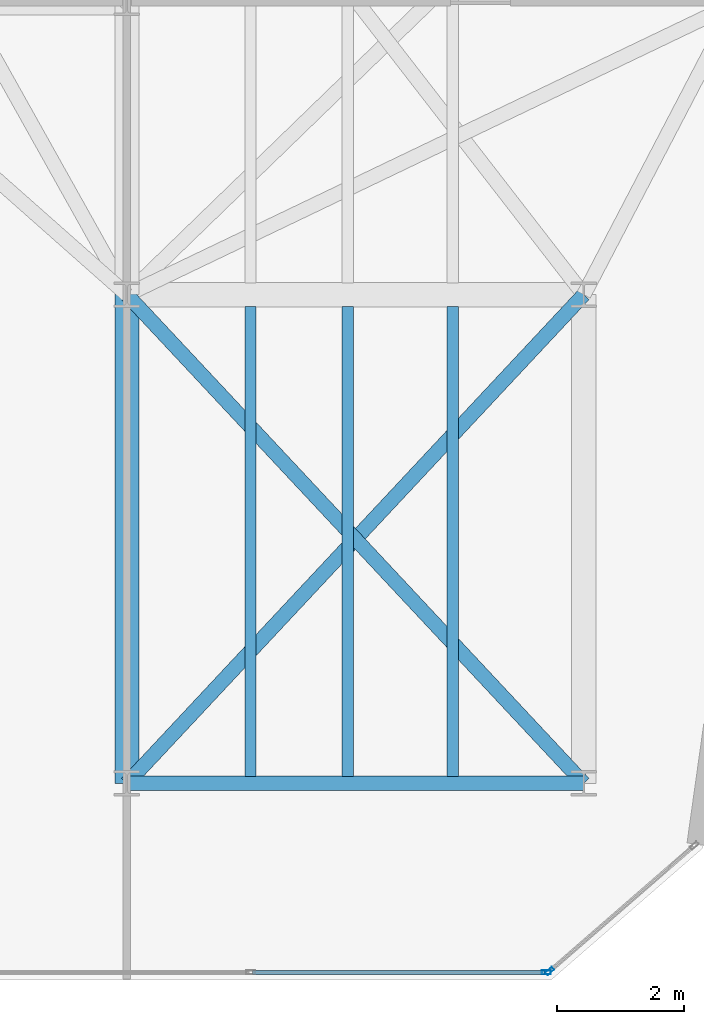
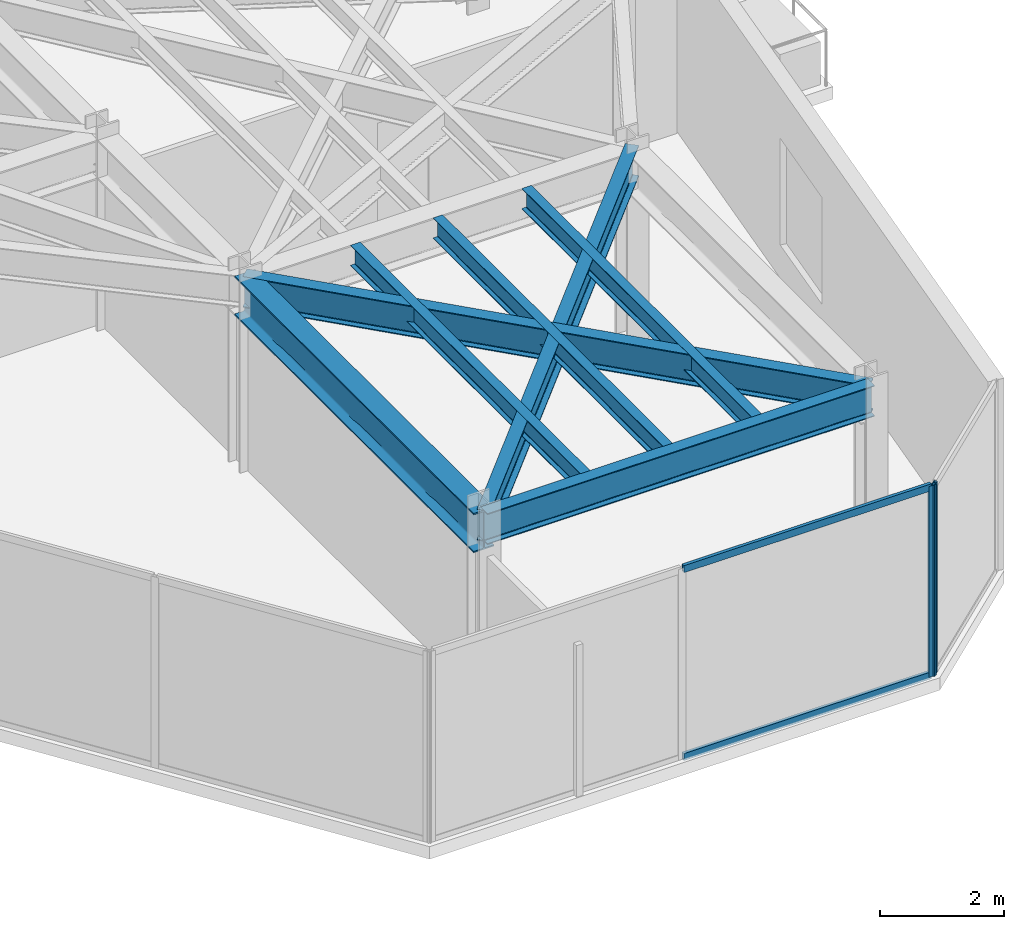
# One storey, part 11 of 21: 7 beams, 4 members, 2 elements without a shape of their own.
"""IFC4 building model written with IfcOpenShell, lengths in metres."""

from ifc_helpers import new_model, si_unit, direction, frame, origin, origin_2d, place, context, subcontext, project, spatial, hollow_rectangle, i_section, extrude, material, layer, layer_set, material_profile, profile_set, type_object, element, aggregate, save


model = new_model("IFC4")

# Units and contexts
model_context = context("Model", 3, precision=1e-05, world=origin(), true_north=direction((0.0, 1.0)))
body_context = subcontext(model_context, "Body", "Model", "MODEL_VIEW")
ifc_project = project(units=[si_unit("LENGTHUNIT", "METRE"), si_unit("AREAUNIT", "SQUARE_METRE"), si_unit("VOLUMEUNIT", "CUBIC_METRE"), si_unit("PLANEANGLEUNIT", "RADIAN"), si_unit("MASSUNIT", "GRAM", prefix="KILO")], contexts=[model_context])

# Site, building, storey
site_placement = place(None, origin())
site = spatial("IfcSite", under=ifc_project, at=site_placement, CompositionType="ELEMENT")
building_placement = place(site_placement, origin())
building = spatial("IfcBuilding", under=site, at=building_placement, Name="Kravanh Interchange Tower", CompositionType="ELEMENT")
storey_placement = place(building_placement, frame((0.0, 0.0, 208.5)))
storey = spatial("IfcBuildingStorey", under=building, at=storey_placement, Name="L50", CompositionType="ELEMENT", Elevation=208.5)

# Curtain wall, member
ifc_material_1 = material(Name="Anodised Bronze Aluminium", Category="aluminium")
ifc_layer = layer(ifc_material_1, 0.179931640625)
ifc_layer_set = layer_set([ifc_layer], Name="Unitised Curtain Wall System CW-Z3 Upper Office")
curtain_wall_type = type_object("IfcCurtainWallType", Name="Unitised Curtain Wall System CW-Z3 Upper Office", PredefinedType="NOTDEFINED", material=ifc_layer_set)
curtain_wall_1_placement = place(storey_placement, origin())
curtain_wall_1 = element("IfcCurtainWall", 1, at=curtain_wall_1_placement, inside=storey, type_object=curtain_wall_type, Name="L50 Unitised Curtain Wall CW-L50-01", PredefinedType="NOTDEFINED")
ifc_material_2 = material(Name="Anodised Bronze Aluminium", Category="aluminium")
ifc_material_profile_1 = material_profile(ifc_material_2, hollow_rectangle(XDim=0.06005859375, YDim=0.139892578125, WallThickness=0.00390625, at=origin_2d()), Name="ALU60X140X4")
ifc_profile_set_1 = profile_set([ifc_material_profile_1], Name="Anodised Bronze Aluminium")
member_type_1 = type_object("IfcMemberType", Name="Curtain Wall Mullion ALU60X140X4 Bronze", PredefinedType="MULLION", material=ifc_profile_set_1)
member_1_placement = place(storey_placement, frame((62.66357421875, 11.539794921875, 0.0), z_axis=(0.0, 0.0, 1.0), x_axis=(0.65605090137, -0.754716645379, 0.0)))
member_1 = element("IfcMember", 2, at=member_1_placement, type_object=member_type_1, Name="CW-Z3 mullion 2", PredefinedType="MULLION", context=body_context, shape_type="SweptSolid", body=[
    extrude(hollow_rectangle(XDim=0.06005859375, YDim=0.139892578125, WallThickness=0.00390625, at=origin_2d()), origin(), (0.0, 0.0, 1.0), 3.7548828125),
])
aggregate(curtain_wall_1, [member_1])

# Curtain wall, members
curtain_wall_2_placement = place(storey_placement, origin())
curtain_wall_2 = element("IfcCurtainWall", 3, at=curtain_wall_2_placement, inside=storey, type_object=curtain_wall_type, Name="L50 Unitised Curtain Wall CW-L50-02", PredefinedType="NOTDEFINED")
member_2_placement = place(storey_placement, frame((62.611083984375, 11.52001953125, 0.0), z_axis=(0.0, 0.0, 1.0), x_axis=(0.0, -1.0, 0.0)))
member_2 = element("IfcMember", 4, at=member_2_placement, type_object=member_type_1, Name="CW-Z3 mullion 1", PredefinedType="MULLION", context=body_context, shape_type="SweptSolid", body=[
    extrude(hollow_rectangle(XDim=0.06005859375, YDim=0.139892578125, WallThickness=0.00390625, at=origin_2d()), origin(), (0.0, 0.0, 1.0), 3.7548828125),
])
ifc_material_3 = material(Name="Anodised Bronze Aluminium", Category="aluminium")
ifc_material_profile_2 = material_profile(ifc_material_3, hollow_rectangle(XDim=0.06005859375, YDim=0.139892578125, WallThickness=0.00390625, at=origin_2d()), Name="ALU60X140X4")
ifc_profile_set_2 = profile_set([ifc_material_profile_2], Name="Anodised Bronze Aluminium")
member_type_2 = type_object("IfcMemberType", Name="Curtain Wall Transom ALU60X140X4 Bronze", PredefinedType="USERDEFINED", material=ifc_profile_set_2)
member_3_placement = place(storey_placement, frame((62.5810546875, 11.52001953125, 0.030029296875), z_axis=(-1.0, 0.0, 0.0), x_axis=(0.0, -1.0, 0.0)))
member_3 = element("IfcMember", 5, at=member_3_placement, type_object=member_type_2, Name="CW-Z3 transom 1.1", ObjectType="TRANSOM", PredefinedType="USERDEFINED", context=body_context, shape_type="SweptSolid", body=[
    extrude(hollow_rectangle(XDim=0.06005859375, YDim=0.139892578125, WallThickness=0.00390625, at=origin_2d()), origin(), (0.0, 0.0, 1.0), 4.59912109375),
])
member_4_placement = place(storey_placement, frame((62.5810546875, 11.52001953125, 3.72509765625), z_axis=(-1.0, 0.0, 0.0), x_axis=(0.0, -1.0, 0.0)))
member_4 = element("IfcMember", 6, at=member_4_placement, type_object=member_type_2, Name="CW-Z3 transom 1.2", ObjectType="TRANSOM", PredefinedType="USERDEFINED", context=body_context, shape_type="SweptSolid", body=[
    extrude(hollow_rectangle(XDim=0.06005859375, YDim=0.139892578125, WallThickness=0.00390625, at=origin_2d()), origin(), (0.0, 0.0, 1.0), 4.59912109375),
])
aggregate(curtain_wall_2, [member_2, member_3, member_4])

# Beams
ifc_material_4 = material(Name="Structural Steel S355", Category="steel")
ifc_material_profile_3 = material_profile(ifc_material_4, i_section(OverallWidth=0.381103515625, OverallDepth=0.77294921875, WebThickness=0.0166015625, FlangeThickness=0.027099609375, FilletRadius=0.02490234375, at=origin_2d()), Name="W30X173")
ifc_profile_set_3 = profile_set([ifc_material_profile_3], Name="Structural Steel S355")
beam_type_1 = type_object("IfcBeamType", Name="Floor Beam W30X173 Structural Steel S355", PredefinedType="BEAM", material=ifc_profile_set_3)
beam_1_placement = place(storey_placement, frame((56.0, 14.5, 3.368408203125), z_axis=(0.0, 1.0, 0.0), x_axis=(-1.0, 0.0, 0.0)))
element("IfcBeam", 7, at=beam_1_placement, inside=storey, type_object=beam_type_1, Name="L50 Primary Floor Girder 87", PredefinedType="BEAM", context=body_context, shape_type="SweptSolid", body=[
    extrude(i_section(OverallWidth=0.381103515625, OverallDepth=0.77294921875, WebThickness=0.0166015625, FlangeThickness=0.027099609375, FilletRadius=0.02490234375, at=origin_2d()), origin(), (0.0, 0.0, 1.0), 7.699951171875),
])
ifc_material_5 = material(Name="Structural Steel S355", Category="steel")
ifc_material_profile_4 = material_profile(ifc_material_5, i_section(OverallWidth=0.177978515625, OverallDepth=0.406005859375, WebThickness=0.0078125, FlangeThickness=0.0126953125, FilletRadius=0.01611328125, at=origin_2d()), Name="W16X40")
ifc_profile_set_4 = profile_set([ifc_material_profile_4], Name="Structural Steel S355")
beam_type_2 = type_object("IfcBeamType", Name="Floor Joist W16X40 Structural Steel S355", PredefinedType="JOIST", material=ifc_profile_set_4)
for number, where, z_axis, x_axis, name in (
    (8, (57.947998046875, 14.60888671875, 3.552001953125), (0.0, 1.0, 0.0), (-1.0, 0.0, 0.0), "L50 Secondary Floor Joist 4"),
    (9, (59.48193359375, 14.60888671875, 3.552001953125), (0.0, 1.0, 0.0), (-1.0, 0.0, 0.0), "L50 Secondary Floor Joist 5"),
    (10, (61.134033203125, 14.60888671875, 3.552001953125), (0.0, 1.0, 0.0), (-1.0, 0.0, 0.0), "L50 Secondary Floor Joist 6"),
):
    element("IfcBeam", number, at=place(storey_placement, frame(where, z_axis=z_axis, x_axis=x_axis)), inside=storey, type_object=beam_type_2, Name=name, PredefinedType="JOIST", context=body_context, shape_type="SweptSolid", body=[
        extrude(i_section(OverallWidth=0.177978515625, OverallDepth=0.406005859375, WebThickness=0.0078125, FlangeThickness=0.0126953125, FilletRadius=0.01611328125, at=origin_2d()), origin(), (0.0, 0.0, 1.0), 7.405517578125),
    ])
ifc_material_6 = material(Name="Structural Steel S355", Category="steel")
ifc_material_profile_5 = material_profile(ifc_material_6, i_section(OverallWidth=0.22802734375, OverallDepth=0.60791015625, WebThickness=0.01123046875, FlangeThickness=0.017333984375, FilletRadius=0.02197265625, at=origin_2d()), Name="W24X76")
ifc_profile_set_5 = profile_set([ifc_material_profile_5], Name="Structural Steel S355")
beam_type_3 = type_object("IfcBeamType", Name="Floor Spandrel W24X76 Structural Steel S355", PredefinedType="SPANDREL", material=ifc_profile_set_5)
beam_2_placement = place(storey_placement, frame((56.0, 14.5, 3.450927734375), z_axis=(1.0, 0.0, 0.0), x_axis=(0.0, 1.0, 0.0)))
element("IfcBeam", 11, at=beam_2_placement, inside=storey, type_object=beam_type_3, Name="L50 Perimeter Spandrel 86", PredefinedType="SPANDREL", context=body_context, shape_type="SweptSolid", body=[
    extrude(i_section(OverallWidth=0.22802734375, OverallDepth=0.60791015625, WebThickness=0.01123046875, FlangeThickness=0.017333984375, FilletRadius=0.02197265625, at=origin_2d()), origin(), (0.0, 0.0, 1.0), 7.199951171875),
])
for number, where, z_axis, x_axis, name in (
    (12, (56.0, 14.5, 3.450927734375), (0.682993762113, 0.73042420614, 0.0), (-0.73042420614, 0.682993762113, 0.0), "L50 Perimeter Spandrel 88"),
    (13, (63.199951171875, 14.5, 3.450927734375), (-0.682993762113, 0.73042420614, 0.0), (-0.73042420614, -0.682993762113, 0.0), "L50 Perimeter Spandrel 90"),
):
    element("IfcBeam", number, at=place(storey_placement, frame(where, z_axis=z_axis, x_axis=x_axis)), inside=storey, type_object=beam_type_3, Name=name, PredefinedType="SPANDREL", context=body_context, shape_type="SweptSolid", body=[
        extrude(i_section(OverallWidth=0.22802734375, OverallDepth=0.60791015625, WebThickness=0.01123046875, FlangeThickness=0.017333984375, FilletRadius=0.02197265625, at=origin_2d()), origin(), (0.0, 0.0, 1.0), 10.541748046875),
    ])

save(model, "model.ifc")
